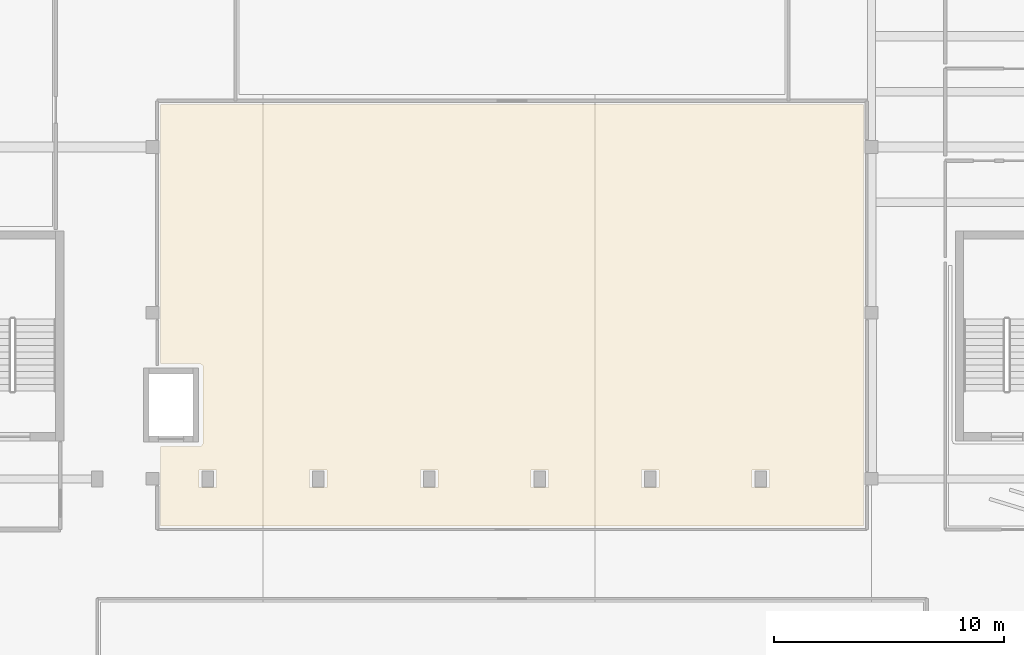
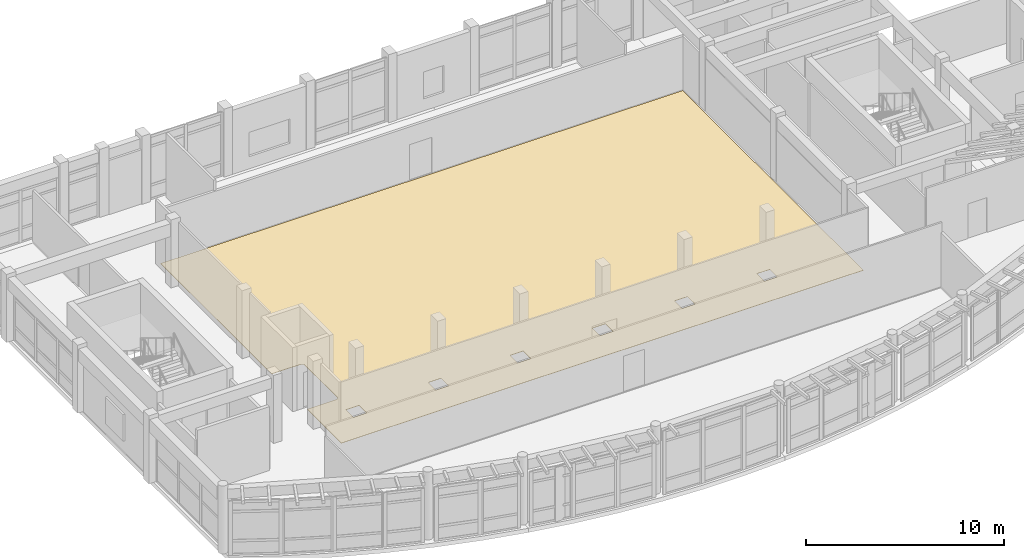
# One storey, part 51 of 60: 1 covering.
"""IFC4 building model written with IfcOpenShell, lengths in metres."""

from ifc_helpers import new_model, si_unit, direction, frame, origin, place, context, subcontext, project, spatial, polyline, outline, extrude, material, layer, layer_set, type_object, element, save


model = new_model("IFC4")

# Units and contexts
model_context = context("Model", 3, precision=1e-05, world=origin(), true_north=direction((0.0, 1.0)))
body_context = subcontext(model_context, "Body", "Model", "MODEL_VIEW")
ifc_project = project(units=[si_unit("LENGTHUNIT", "METRE"), si_unit("AREAUNIT", "SQUARE_METRE"), si_unit("VOLUMEUNIT", "CUBIC_METRE"), si_unit("PLANEANGLEUNIT", "RADIAN"), si_unit("MASSUNIT", "GRAM", prefix="KILO")], contexts=[model_context])

# Site, building, storey
site_placement = place(None, origin())
site = spatial("IfcSite", under=ifc_project, at=site_placement, CompositionType="ELEMENT")
building_placement = place(site_placement, origin())
building = spatial("IfcBuilding", under=site, at=building_placement, Name="Brisavento Harbour Community Centre", CompositionType="ELEMENT")
storey_placement = place(building_placement, frame((0.0, 0.0, 4.5)))
storey = spatial("IfcBuildingStorey", under=building, at=storey_placement, Name="L01", CompositionType="ELEMENT", Elevation=4.5)

# Covering
ifc_material = material(Name="Polished marine terrazzo tile", Category="other")
ifc_layer = layer(ifc_material, 0.02001953125, Name="Polished marine terrazzo tile")
ifc_layer_set = layer_set([ifc_layer], Name="Polished marine terrazzo tile")
covering_type = type_object("IfcCoveringType", Name="COV-FLR-TRZ", PredefinedType="FLOORING", material=ifc_layer_set)
covering_placement = place(storey_placement, origin())
element("IfcCovering", 1, at=covering_placement, inside=storey, type_object=covering_type, Name="L01 Main Community Hall terrazzo flooring", PredefinedType="FLOORING", context=body_context, shape_type="SweptSolid", body=[
    extrude(outline(polyline([(9.949951171875, 15.800048828125), (9.949951171875, 12.35009765625), (40.449951171875, 12.35009765625), (40.449951171875, 30.64990234375), (9.949951171875, 30.64990234375), (9.949951171875, 19.39990234375), (11.64990234375, 19.39990234375), (11.7822265625, 19.32080078125), (11.800048828125, 15.949951171875), (11.70751953125, 15.811279296875), (9.949951171875, 15.800048828125)]), holes=[polyline([(12.3798828125, 14.780029296875), (12.3798828125, 14.02001953125), (11.6201171875, 14.02001953125), (11.6201171875, 14.780029296875), (12.3798828125, 14.780029296875)]), polyline([(17.179931640625, 14.02001953125), (16.419921875, 14.02001953125), (16.419921875, 14.780029296875), (17.179931640625, 14.780029296875), (17.179931640625, 14.02001953125)]), polyline([(21.219970703125, 14.02001953125), (21.219970703125, 14.780029296875), (21.97998046875, 14.780029296875), (21.97998046875, 14.02001953125), (21.219970703125, 14.02001953125)]), polyline([(26.02001953125, 14.780029296875), (26.780029296875, 14.780029296875), (26.780029296875, 14.02001953125), (26.02001953125, 14.02001953125), (26.02001953125, 14.780029296875)]), polyline([(31.580078125, 14.780029296875), (31.580078125, 14.02001953125), (30.820068359375, 14.02001953125), (30.820068359375, 14.780029296875), (31.580078125, 14.780029296875)]), polyline([(36.3798828125, 14.02001953125), (35.6201171875, 14.02001953125), (35.6201171875, 14.780029296875), (36.3798828125, 14.780029296875), (36.3798828125, 14.02001953125)])]), origin(), (0.0, 0.0, 1.0), 0.02001953125),
])

save(model, "model.ifc")
